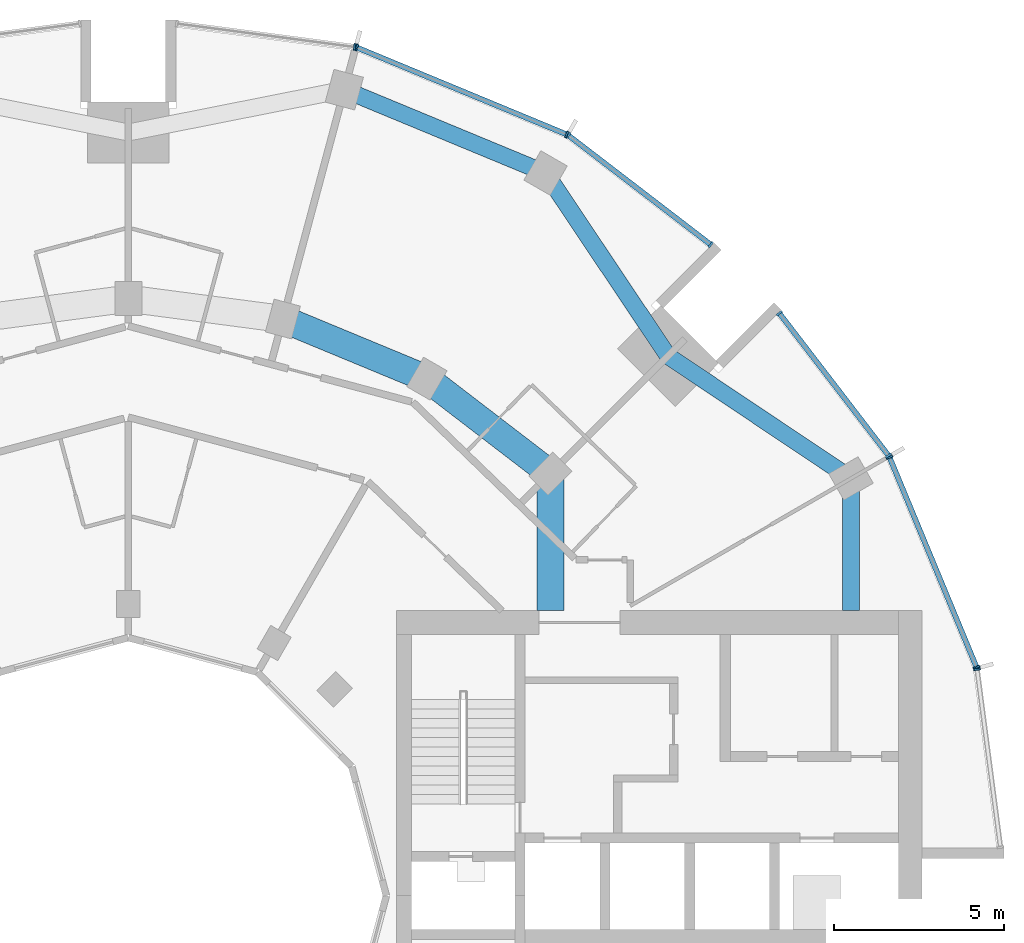
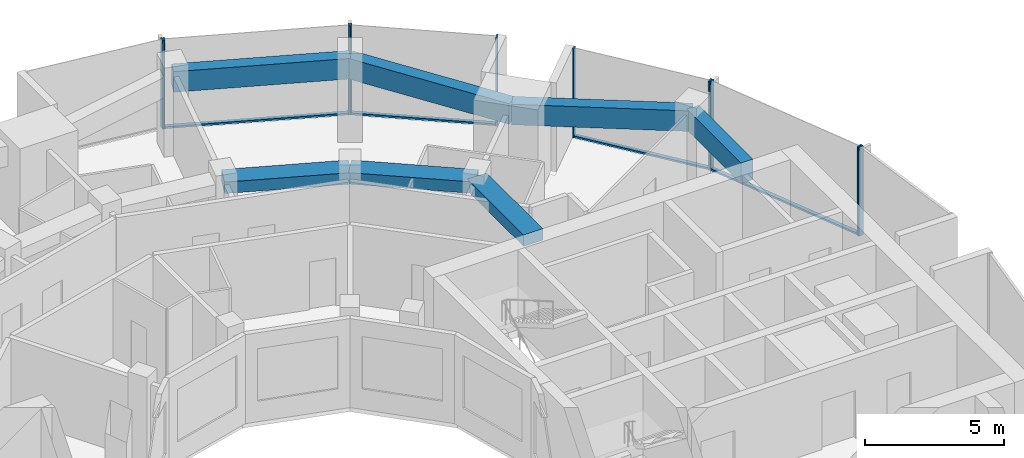
# One storey, part 6 of 15: 14 members, 7 beams, 6 elements without a shape of their own.
"""IFC4 building model written with IfcOpenShell, lengths in metres."""

import ifcopenshell
import ifcopenshell.guid

model = None  # the IFC model being written
_history = None  # IfcOwnerHistory: only IFC2X3 demands one
_inside = {}  # id of a spatial element -> (the spatial element, [elements in it])
_under = {}  # id of a project, library or spatial element -> (it, [spatial elements below it])
_declared = {}  # id of a project -> (the project, [libraries it declares])
_typed = {}  # id of a type object -> (the type object, [elements of that type])
_made_of = {}  # id of a material, layer set ... -> (it, [elements and type objects made of it])


def new_model(schema):
    """Start an empty IFC model of exactly this schema.

    Asked for "IFC4X3", IfcOpenShell would pick the latest addendum, in which some entities
    have other attributes; the version numbers below select the first issue.
    IFC2X3 requires an IfcOwnerHistory on every rooted entity: one is made here for all.
    """
    global model, _history
    if schema == "IFC4X3":
        model = ifcopenshell.file(schema_version=(4, 3, 0, 0))
    else:
        model = ifcopenshell.file(schema=schema)
    _inside.clear()
    _under.clear()
    _declared.clear()
    _typed.clear()
    _made_of.clear()
    _history = None
    if model.schema == "IFC2X3":
        org = make("IfcOrganization", Name="unknown")
        user = make(
            "IfcPersonAndOrganization",
            ThePerson=make("IfcPerson", FamilyName="unknown"),
            TheOrganization=org,
        )
        app = make(
            "IfcApplication",
            ApplicationDeveloper=org,
            Version="unknown",
            ApplicationFullName="unknown",
            ApplicationIdentifier="unknown",
        )
        _history = make(
            "IfcOwnerHistory",
            OwningUser=user,
            OwningApplication=app,
            ChangeAction="ADDED",
            CreationDate=0,
        )
    return model


def make(cls, **values):
    """One entity of the class cls with the attributes given. An attribute that is None is left unset."""
    return model.create_entity(
        cls, **{name: value for name, value in values.items() if value is not None}
    )


def rooted(cls, **values):
    """An entity with a GlobalId (a new one), such as an element, a storey or a relation."""
    return make(cls, GlobalId=ifcopenshell.guid.new(), OwnerHistory=_history, **values)


def si_unit(unit_type, name, prefix=None):
    """IfcSIUnit, for example si_unit("LENGTHUNIT", "METRE", prefix="MILLI")."""
    return make("IfcSIUnit", UnitType=unit_type, Prefix=prefix, Name=name)


def assignment(units):
    """IfcUnitAssignment: the units of a project."""
    return None if units is None else make("IfcUnitAssignment", Units=units)


def point(xyz):
    """IfcCartesianPoint."""
    return None if xyz is None else make("IfcCartesianPoint", Coordinates=xyz)


def direction(xyz):
    """IfcDirection."""
    return None if xyz is None else make("IfcDirection", DirectionRatios=xyz)


def frame(location, z_axis=None, x_axis=None):
    """IfcAxis2Placement3D, a coordinate frame: its origin and axes. An axis left out is left unset."""
    return make(
        "IfcAxis2Placement3D",
        Location=point(location),
        Axis=direction(z_axis),
        RefDirection=direction(x_axis),
    )


def frame_2d(location, x_axis=None):
    """IfcAxis2Placement2D, a coordinate frame in the plane: its origin and x axis."""
    return make(
        "IfcAxis2Placement2D", Location=point(location), RefDirection=direction(x_axis)
    )


def origin():
    """The frame at (0, 0, 0) with its axes left unset."""
    return frame((0.0, 0.0, 0.0))


def origin_2d():
    """The frame at (0, 0) in the plane with its x axis left unset."""
    return frame_2d((0.0, 0.0))


def place(relative_to, where):
    """IfcLocalPlacement: puts the frame where relative to a parent placement (None: the world)."""
    return make(
        "IfcLocalPlacement", PlacementRelTo=relative_to, RelativePlacement=where
    )


def context(
    kind, dimensions, precision=None, world=None, true_north=None, identifier=None
):
    """IfcGeometricRepresentationContext, for example the 3D "Model" context."""
    return make(
        "IfcGeometricRepresentationContext",
        ContextIdentifier=identifier,
        ContextType=kind,
        CoordinateSpaceDimension=dimensions,
        Precision=precision,
        WorldCoordinateSystem=world,
        TrueNorth=true_north,
    )


def subcontext(parent, identifier, kind, view, scale=None):
    """IfcGeometricRepresentationSubContext, for example "Body" below "Model"."""
    return make(
        "IfcGeometricRepresentationSubContext",
        ContextIdentifier=identifier,
        ContextType=kind,
        ParentContext=parent,
        TargetScale=scale,
        TargetView=view,
    )


def project(units=None, contexts=None):
    """IfcProject with its units and contexts."""
    return rooted(
        "IfcProject",
        Name="project",
        RepresentationContexts=contexts,
        UnitsInContext=assignment(units),
    )


def spatial(cls, under=None, at=None, **own):
    """A site, building, storey or space (cls), placed at a placement, below another one or the project."""
    s = rooted(cls, ObjectPlacement=at, **own)
    if under is not None:
        _under.setdefault(under.id(), (under, []))[1].append(s)
    return s


def profile(cls, at=None, kind="AREA", **sizes):
    """A parametric profile (cls). Its sizes go by their IFC names, for example OverallWidth=200.0."""
    return make(cls, ProfileType=kind, Position=at, **sizes)


def rectangle(**sizes):
    """IfcRectangleProfileDef."""
    return profile("IfcRectangleProfileDef", **sizes)


def extrude(swept, where, along, depth):
    """IfcExtrudedAreaSolid: the profile swept, set in the frame where, extruded along a direction by depth."""
    return make(
        "IfcExtrudedAreaSolid",
        SweptArea=swept,
        Position=where,
        ExtrudedDirection=direction(along),
        Depth=depth,
    )


def shape(context_of_items, identifier, shape_type, items):
    """IfcShapeRepresentation: the items that make up one representation, for example the "Body"."""
    return make(
        "IfcShapeRepresentation",
        ContextOfItems=context_of_items,
        RepresentationIdentifier=identifier,
        RepresentationType=shape_type,
        Items=items,
    )


def material(Name=None, Category=None):
    """IfcMaterial."""
    return make("IfcMaterial", Name=Name, Category=Category)


def layer(
    of_material, thickness, ventilated=None, Name=None, Category=None, Priority=None
):
    """IfcMaterialLayer: one layer of a wall or slab, of a material (None: an air gap)."""
    return make(
        "IfcMaterialLayer",
        Material=of_material,
        LayerThickness=thickness,
        IsVentilated=ventilated,
        Name=Name,
        Category=Category,
        Priority=Priority,
    )


def layer_set(layers, Name=None):
    """IfcMaterialLayerSet."""
    return make("IfcMaterialLayerSet", MaterialLayers=layers, LayerSetName=Name)


def material_profile(
    of_material, cross_section, Name=None, Category=None, Priority=None
):
    """IfcMaterialProfile: a cross section and its material."""
    return make(
        "IfcMaterialProfile",
        Name=Name,
        Material=of_material,
        Profile=cross_section,
        Priority=Priority,
        Category=Category,
    )


def profile_set(profiles, Name=None, composite=None):
    """IfcMaterialProfileSet."""
    return make(
        "IfcMaterialProfileSet",
        Name=Name,
        MaterialProfiles=profiles,
        CompositeProfile=composite,
    )


def made_of(thing, what):
    """Note that an element or type object is made of a material, layer set ...; save() writes the relation."""
    if what is not None:
        _made_of.setdefault(what.id(), (what, []))[1].append(thing)
    return thing


def type_object(cls, material=None, **own):
    """A type object (cls), such as IfcWallType, which elements share."""
    return made_of(rooted(cls, **own), material)


def element(
    cls,
    number,
    at=None,
    inside=None,
    cuts=None,
    type_object=None,
    material=None,
    context=None,
    identifier="Body",
    shape_type=None,
    held_by="IfcProductDefinitionShape",
    body=None,
    shapes=None,
    **own,
):
    """One element of the class cls, such as IfcWall. Its Tag is "e" and its number.

    at: its placement. inside: the storey or other place that contains it. cuts: it is an
    opening in that element (IfcRelVoidsElement). A single representation is given by context,
    identifier, shape_type and body (its items); several are given by shapes. held_by: the class
    of the entity that holds the representations. save() writes the other relations.
    """
    e = rooted(cls, Tag="e%d" % number, ObjectPlacement=at, **own)
    if body is not None:
        shapes = [shape(context, identifier, shape_type, body)]
    if shapes is not None:
        e.Representation = make(held_by, Representations=shapes)
    if inside is not None:
        _inside.setdefault(inside.id(), (inside, []))[1].append(e)
    if cuts is not None:
        rooted(
            "IfcRelVoidsElement", RelatingBuildingElement=cuts, RelatedOpeningElement=e
        )
    if type_object is not None:
        _typed.setdefault(type_object.id(), (type_object, []))[1].append(e)
    return made_of(e, material)


def aggregate(whole, parts):
    """IfcRelAggregates: a whole, such as a stair, and the parts it consists of."""
    return rooted("IfcRelAggregates", RelatingObject=whole, RelatedObjects=parts)


def save(model, path):
    """Write the relations noted so far, then the file.

    IfcRelAggregates (storeys below a building ...), IfcRelContainedInSpatialStructure (elements
    in a storey), IfcRelDefinesByType, IfcRelAssociatesMaterial and IfcRelDeclares: one each for
    every whole, place, type object, material and project.
    """
    for whole, parts in _under.values():
        aggregate(whole, parts)
    for where, things in _inside.values():
        rooted(
            "IfcRelContainedInSpatialStructure",
            RelatedElements=things,
            RelatingStructure=where,
        )
    for kind, things in _typed.values():
        rooted("IfcRelDefinesByType", RelatedObjects=things, RelatingType=kind)
    for what, things in _made_of.values():
        rooted("IfcRelAssociatesMaterial", RelatedObjects=things, RelatingMaterial=what)
    for by, libraries in _declared.values():
        rooted("IfcRelDeclares", RelatingContext=by, RelatedDefinitions=libraries)
    model.write(path)


model = new_model("IFC4")

# Units and contexts
model_context = context("Model", 3, precision=1e-05, world=origin(), true_north=direction((0.0, 1.0)))
body_context = subcontext(model_context, "Body", "Model", "MODEL_VIEW")
ifc_project = project(units=[si_unit("LENGTHUNIT", "METRE"), si_unit("AREAUNIT", "SQUARE_METRE"), si_unit("VOLUMEUNIT", "CUBIC_METRE"), si_unit("PLANEANGLEUNIT", "RADIAN"), si_unit("MASSUNIT", "GRAM", prefix="KILO")], contexts=[model_context])

# Site, building, storey
site_placement = place(None, origin())
site = spatial("IfcSite", under=ifc_project, at=site_placement, CompositionType="ELEMENT")
building_placement = place(site_placement, origin())
building = spatial("IfcBuilding", under=site, at=building_placement, Name="Torre Brocal", CompositionType="ELEMENT")
storey_placement = place(building_placement, frame((0.0, 0.0, 145.800048828125)))
storey = spatial("IfcBuildingStorey", under=building, at=storey_placement, Name="L34", CompositionType="ELEMENT", Elevation=145.800048828125)

# Curtain wall, members
ifc_material_1 = material(Name="Aluminium and glass", Category="aluminium")
ifc_layer_1 = layer(ifc_material_1, 0.199951171875)
ifc_layer_set_1 = layer_set([ifc_layer_1], Name="Aluminium and glass")
curtain_wall_type_1 = type_object("IfcCurtainWallType", Name="CW-1 CURTAIN WALL 3900 HIGH", PredefinedType="NOTDEFINED", material=ifc_layer_set_1)
curtain_wall_1_placement = place(storey_placement, origin())
curtain_wall_1 = element("IfcCurtainWall", 1, at=curtain_wall_1_placement, inside=storey, type_object=curtain_wall_type_1, Name="CW-1 RUN 2", PredefinedType="NOTDEFINED")
ifc_material_2 = material(Name="Aluminium, dark anodised", Category="aluminium")
ifc_material_profile_1 = material_profile(ifc_material_2, rectangle(XDim=0.199951171875, YDim=0.06005859375, at=origin_2d()), Name="CW-1 MULLION 60X200")
ifc_profile_set_1 = profile_set([ifc_material_profile_1], Name="Aluminium, dark anodised")
member_type_1 = type_object("IfcMemberType", Name="CW-1 MULLION 60X200", PredefinedType="MULLION", material=ifc_profile_set_1)
member_1_placement = place(storey_placement, frame((105.005126953125, 81.73095703125, 0.0), z_axis=(0.0, 0.0, 1.0), x_axis=(-0.923879532525, -0.382683432333, 0.0)))
member_1 = element("IfcMember", 2, at=member_1_placement, type_object=member_type_1, Name="CW1-3 mullion 1", PredefinedType="MULLION", context=body_context, shape_type="SweptSolid", body=[
    extrude(rectangle(XDim=0.199951171875, YDim=0.06005859375, at=origin_2d()), origin(), (0.0, 0.0, 1.0), 3.89990234375),
])
member_2_placement = place(storey_placement, frame((102.440673828125, 87.921875, 0.0), z_axis=(0.0, 0.0, 1.0), x_axis=(-0.923879532525, -0.382683432333, 0.0)))
member_2 = element("IfcMember", 3, at=member_2_placement, type_object=member_type_1, Name="CW1-3 mullion 2", PredefinedType="MULLION", context=body_context, shape_type="SweptSolid", body=[
    extrude(rectangle(XDim=0.199951171875, YDim=0.06005859375, at=origin_2d()), origin(), (0.0, 0.0, 1.0), 3.89990234375),
])

curtain_wall_2_placement = place(storey_placement, origin())
curtain_wall_2 = element("IfcCurtainWall", 4, at=curtain_wall_2_placement, inside=storey, type_object=curtain_wall_type_1, Name="CW-1 RUN 3", PredefinedType="NOTDEFINED")
member_3_placement = place(storey_placement, frame((102.4111328125, 87.973388671875, 0.0), z_axis=(0.0, 0.0, 1.0), x_axis=(-0.793353340259, -0.60876142905, 0.0)))
member_3 = element("IfcMember", 5, at=member_3_placement, type_object=member_type_1, Name="CW1-3 mullion 1", PredefinedType="MULLION", context=body_context, shape_type="SweptSolid", body=[
    extrude(rectangle(XDim=0.199951171875, YDim=0.06005859375, at=origin_2d()), origin(), (0.0, 0.0, 1.0), 3.89990234375),
])
member_4_placement = place(storey_placement, frame((99.19140625, 92.16943359375, 0.0), z_axis=(0.0, 0.0, 1.0), x_axis=(-0.793353340259, -0.60876142905, 0.0)))
member_4 = element("IfcMember", 6, at=member_4_placement, type_object=member_type_1, Name="CW1-3 mullion 2", PredefinedType="MULLION", context=body_context, shape_type="SweptSolid", body=[
    extrude(rectangle(XDim=0.199951171875, YDim=0.06005859375, at=origin_2d()), origin(), (0.0, 0.0, 1.0), 3.89990234375),
])

curtain_wall_3_placement = place(storey_placement, origin())
curtain_wall_3 = element("IfcCurtainWall", 7, at=curtain_wall_3_placement, inside=storey, type_object=curtain_wall_type_1, Name="CW-1 RUN 4", PredefinedType="NOTDEFINED")
member_5_placement = place(storey_placement, frame((97.16943359375, 94.19140625, 0.0), z_axis=(0.0, 0.0, 1.0), x_axis=(-0.60876142905, -0.793353340259, 0.0)))
member_5 = element("IfcMember", 8, at=member_5_placement, type_object=member_type_1, Name="CW1-3 mullion 1", PredefinedType="MULLION", context=body_context, shape_type="SweptSolid", body=[
    extrude(rectangle(XDim=0.199951171875, YDim=0.06005859375, at=origin_2d()), origin(), (0.0, 0.0, 1.0), 3.89990234375),
])
member_6_placement = place(storey_placement, frame((92.973388671875, 97.4111328125, 0.0), z_axis=(0.0, 0.0, 1.0), x_axis=(-0.60876142905, -0.793353340259, 0.0)))
member_6 = element("IfcMember", 9, at=member_6_placement, type_object=member_type_1, Name="CW1-3 mullion 2", PredefinedType="MULLION", context=body_context, shape_type="SweptSolid", body=[
    extrude(rectangle(XDim=0.199951171875, YDim=0.06005859375, at=origin_2d()), origin(), (0.0, 0.0, 1.0), 3.89990234375),
])

curtain_wall_4_placement = place(storey_placement, origin())
curtain_wall_4 = element("IfcCurtainWall", 10, at=curtain_wall_4_placement, inside=storey, type_object=curtain_wall_type_1, Name="CW-1 RUN 5", PredefinedType="NOTDEFINED")
member_7_placement = place(storey_placement, frame((92.921875, 97.440673828125, 0.0), z_axis=(0.0, 0.0, 1.0), x_axis=(-0.382683432333, -0.923879532525, 0.0)))
member_7 = element("IfcMember", 11, at=member_7_placement, type_object=member_type_1, Name="CW1-3 mullion 1", PredefinedType="MULLION", context=body_context, shape_type="SweptSolid", body=[
    extrude(rectangle(XDim=0.199951171875, YDim=0.06005859375, at=origin_2d()), origin(), (0.0, 0.0, 1.0), 3.89990234375),
])
member_8_placement = place(storey_placement, frame((86.73095703125, 100.005126953125, 0.0), z_axis=(0.0, 0.0, 1.0), x_axis=(-0.382683432333, -0.923879532525, 0.0)))
member_8 = element("IfcMember", 12, at=member_8_placement, type_object=member_type_1, Name="CW1-3 mullion 2", PredefinedType="MULLION", context=body_context, shape_type="SweptSolid", body=[
    extrude(rectangle(XDim=0.199951171875, YDim=0.06005859375, at=origin_2d()), origin(), (0.0, 0.0, 1.0), 3.89990234375),
])

# Curtain wall, member
curtain_wall_5_placement = place(storey_placement, origin())
curtain_wall_5 = element("IfcCurtainWall", 13, at=curtain_wall_5_placement, inside=storey, type_object=curtain_wall_type_1, Name="CW-1 RUN 6", PredefinedType="NOTDEFINED")
member_9_placement = place(storey_placement, frame((86.67333984375, 100.0205078125, 0.0), z_axis=(0.0, 0.0, 1.0), x_axis=(-0.13052619222, -0.991444861374, 0.0)))
member_9 = element("IfcMember", 14, at=member_9_placement, type_object=member_type_1, Name="CW1-3 mullion 1", PredefinedType="MULLION", context=body_context, shape_type="SweptSolid", body=[
    extrude(rectangle(XDim=0.199951171875, YDim=0.06005859375, at=origin_2d()), origin(), (0.0, 0.0, 1.0), 3.89990234375),
])
aggregate(curtain_wall_5, [member_9])

# Member
ifc_material_3 = material(Name="Aluminium, dark anodised", Category="aluminium")
ifc_material_profile_2 = material_profile(ifc_material_3, rectangle(XDim=0.159912109375, YDim=0.080078125, at=origin_2d()), Name="CW-1 TRANSOM 160X80")
ifc_profile_set_2 = profile_set([ifc_material_profile_2], Name="Aluminium, dark anodised")
member_type_2 = type_object("IfcMemberType", Name="CW-1 TRANSOM 160X80", PredefinedType="USERDEFINED", material=ifc_profile_set_2)
member_10_placement = place(storey_placement, frame((104.99365234375, 81.758544921875, 0.0400390625), z_axis=(-0.38266457234, 0.923887344364, 0.0), x_axis=(-0.923887344364, -0.38266457234, 0.0)))
member_10 = element("IfcMember", 15, at=member_10_placement, type_object=member_type_2, Name="CW1-3 transom 1.1", ObjectType="TRANSOM", PredefinedType="USERDEFINED", context=body_context, shape_type="SweptSolid", body=[
    extrude(rectangle(XDim=0.159912109375, YDim=0.080078125, at=origin_2d()), origin(), (0.0, 0.0, 1.0), 6.640869140625),
])

aggregate(curtain_wall_1, [member_1, member_2, member_10])

member_11_placement = place(storey_placement, frame((102.392822265625, 87.9970703125, 0.0400390625), z_axis=(-0.60874908096, 0.79336281513, 0.0), x_axis=(-0.79336281513, -0.60874908096, 0.0)))
member_11 = element("IfcMember", 16, at=member_11_placement, type_object=member_type_2, Name="CW1-3 transom 1.1", ObjectType="TRANSOM", PredefinedType="USERDEFINED", context=body_context, shape_type="SweptSolid", body=[
    extrude(rectangle(XDim=0.159912109375, YDim=0.080078125, at=origin_2d()), origin(), (0.0, 0.0, 1.0), 5.22900390625),
])

aggregate(curtain_wall_2, [member_3, member_4, member_11])

member_12_placement = place(storey_placement, frame((97.1455078125, 94.209716796875, 0.0400390625), z_axis=(-0.79336281513, 0.60874908096, 0.0), x_axis=(-0.60874908096, -0.79336281513, 0.0)))
member_12 = element("IfcMember", 17, at=member_12_placement, type_object=member_type_2, Name="CW1-3 transom 1.1", ObjectType="TRANSOM", PredefinedType="USERDEFINED", context=body_context, shape_type="SweptSolid", body=[
    extrude(rectangle(XDim=0.159912109375, YDim=0.080078125, at=origin_2d()), origin(), (0.0, 0.0, 1.0), 5.22900390625),
])

aggregate(curtain_wall_3, [member_5, member_6, member_12])

member_13_placement = place(storey_placement, frame((92.89404296875, 97.452392578125, 0.0400390625), z_axis=(-0.923887344364, 0.38266457234, 0.0), x_axis=(-0.38266457234, -0.923887344364, 0.0)))
member_13 = element("IfcMember", 18, at=member_13_placement, type_object=member_type_2, Name="CW1-3 transom 1.1", ObjectType="TRANSOM", PredefinedType="USERDEFINED", context=body_context, shape_type="SweptSolid", body=[
    extrude(rectangle(XDim=0.159912109375, YDim=0.080078125, at=origin_2d()), origin(), (0.0, 0.0, 1.0), 6.640869140625),
])

aggregate(curtain_wall_4, [member_7, member_8, member_13])

# Curtain wall, member
ifc_material_4 = material(Name="Aluminium and glass", Category="aluminium")
ifc_layer_2 = layer(ifc_material_4, 0.199951171875)
ifc_layer_set_2 = layer_set([ifc_layer_2], Name="Aluminium and glass")
curtain_wall_type_2 = type_object("IfcCurtainWallType", Name="CW-1B CURTAIN WALL 3900 HIGH", PredefinedType="NOTDEFINED", material=ifc_layer_set_2)
curtain_wall_6_placement = place(storey_placement, origin())
curtain_wall_6 = element("IfcCurtainWall", 19, at=curtain_wall_6_placement, inside=storey, type_object=curtain_wall_type_2, Name="CW-1B RUN 1", PredefinedType="NOTDEFINED")
ifc_material_5 = material(Name="Aluminium, dark anodised", Category="aluminium")
ifc_material_profile_3 = material_profile(ifc_material_5, rectangle(XDim=0.199951171875, YDim=0.06005859375, at=origin_2d()), Name="CW-1B MULLION 60X200")
ifc_profile_set_3 = profile_set([ifc_material_profile_3], Name="Aluminium, dark anodised")
member_type_3 = type_object("IfcMemberType", Name="CW-1B MULLION 60X200", PredefinedType="MULLION", material=ifc_profile_set_3)
member_14_placement = place(storey_placement, frame((105.0205078125, 81.67333984375, 0.0), z_axis=(0.0, 0.0, 1.0), x_axis=(-0.991444861374, -0.13052619222, 0.0)))
member_14 = element("IfcMember", 20, at=member_14_placement, type_object=member_type_3, Name="CW1B-3 mullion 2", PredefinedType="MULLION", context=body_context, shape_type="SweptSolid", body=[
    extrude(rectangle(XDim=0.199951171875, YDim=0.06005859375, at=origin_2d()), origin(), (0.0, 0.0, 1.0), 3.89990234375),
])
aggregate(curtain_wall_6, [member_14])

# Beams
ifc_material_6 = material(Name="Concrete C50", Category="concrete")
ifc_material_profile_4 = material_profile(ifc_material_6, rectangle(XDim=0.800048828125, YDim=0.5, at=origin_2d()), Name="RC 800X500")
ifc_profile_set_4 = profile_set([ifc_material_profile_4], Name="Concrete C50")
beam_type_1 = type_object("IfcBeamType", Name="RC BEAM 800X500 C50 TOP 3500", PredefinedType="BEAM", material=ifc_profile_set_4)
beam_1_placement = place(storey_placement, frame((92.445068359375, 87.445068359375, 3.25), z_axis=(-0.793358265959, 0.6087550097, 0.0), x_axis=(-0.6087550097, -0.793358265959, 0.0)))
element("IfcBeam", 21, at=beam_1_placement, inside=storey, type_object=beam_type_1, Name="Beam BT-30", PredefinedType="BEAM", context=body_context, shape_type="SweptSolid", body=[
    extrude(rectangle(XDim=0.800048828125, YDim=0.5, at=origin_2d()), origin(), (0.0, 0.0, 1.0), 4.594482421875),
])
beam_2_placement = place(storey_placement, frame((88.800048828125, 90.241943359375, 3.25), z_axis=(-0.923878240166, 0.382686552348, 0.0), x_axis=(-0.382686552348, -0.923878240166, 0.0)))
element("IfcBeam", 22, at=beam_2_placement, inside=storey, type_object=beam_type_1, Name="Beam BT-30", PredefinedType="BEAM", context=body_context, shape_type="SweptSolid", body=[
    extrude(rectangle(XDim=0.800048828125, YDim=0.5, at=origin_2d()), origin(), (0.0, 0.0, 1.0), 4.5947265625),
])
beam_3_placement = place(storey_placement, frame((92.445068359375, 87.445068359375, 3.25), z_axis=(0.0, -1.0, 0.0), x_axis=(1.0, 0.0, 0.0)))
element("IfcBeam", 23, at=beam_3_placement, inside=storey, type_object=beam_type_1, Name="Beam BT-30", PredefinedType="BEAM", context=body_context, shape_type="SweptSolid", body=[
    extrude(rectangle(XDim=0.800048828125, YDim=0.5, at=origin_2d()), origin(), (0.0, 0.0, 1.0), 4.045166015625),
])
ifc_material_7 = material(Name="Concrete C50", Category="concrete")
ifc_material_profile_5 = material_profile(ifc_material_7, rectangle(XDim=0.5, YDim=0.89990234375, at=origin_2d()), Name="RC 500X900")
ifc_profile_set_5 = profile_set([ifc_material_profile_5], Name="Concrete C50")
beam_type_2 = type_object("IfcBeamType", Name="RC SPANDREL BEAM 500X900 C50 TOP 3500", PredefinedType="SPANDREL", material=ifc_profile_set_5)
for number, where, z_axis, x_axis, name in (
    (24, (101.30419921875, 87.300048828125, 3.050048828125), (-0.831076844476, 0.556157602282, 0.0), (-0.556157602282, -0.831076844476, 0.0), "Beam BT-31"),
    (25, (95.909912109375, 90.909912109375, 3.050048828125), (-0.556157602282, 0.831076844476, 0.0), (-0.831076844476, -0.556157602282, 0.0), "Beam BT-31"),
):
    element("IfcBeam", number, at=place(storey_placement, frame(where, z_axis=z_axis, x_axis=x_axis)), inside=storey, type_object=beam_type_2, Name=name, PredefinedType="SPANDREL", context=body_context, shape_type="SweptSolid", body=[
        extrude(rectangle(XDim=0.5, YDim=0.89990234375, at=origin_2d()), origin(), (0.0, 0.0, 1.0), 6.49072265625),
    ])
beam_4_placement = place(storey_placement, frame((92.300048828125, 96.30419921875, 3.050048828125), z_axis=(-0.923882462513, 0.382676358639, 0.0), x_axis=(-0.382676358639, -0.923882462513, 0.0)))
element("IfcBeam", 26, at=beam_4_placement, inside=storey, type_object=beam_type_2, Name="Beam BT-31", PredefinedType="SPANDREL", context=body_context, shape_type="SweptSolid", body=[
    extrude(rectangle(XDim=0.5, YDim=0.89990234375, at=origin_2d()), origin(), (0.0, 0.0, 1.0), 6.421875),
])
beam_5_placement = place(storey_placement, frame((101.30419921875, 87.300048828125, 3.050048828125), z_axis=(0.0, -1.0, 0.0), x_axis=(1.0, 0.0, 0.0)))
element("IfcBeam", 27, at=beam_5_placement, inside=storey, type_object=beam_type_2, Name="Beam BT-31", PredefinedType="SPANDREL", context=body_context, shape_type="SweptSolid", body=[
    extrude(rectangle(XDim=0.5, YDim=0.89990234375, at=origin_2d()), origin(), (0.0, 0.0, 1.0), 3.900146484375),
])

save(model, "model.ifc")
